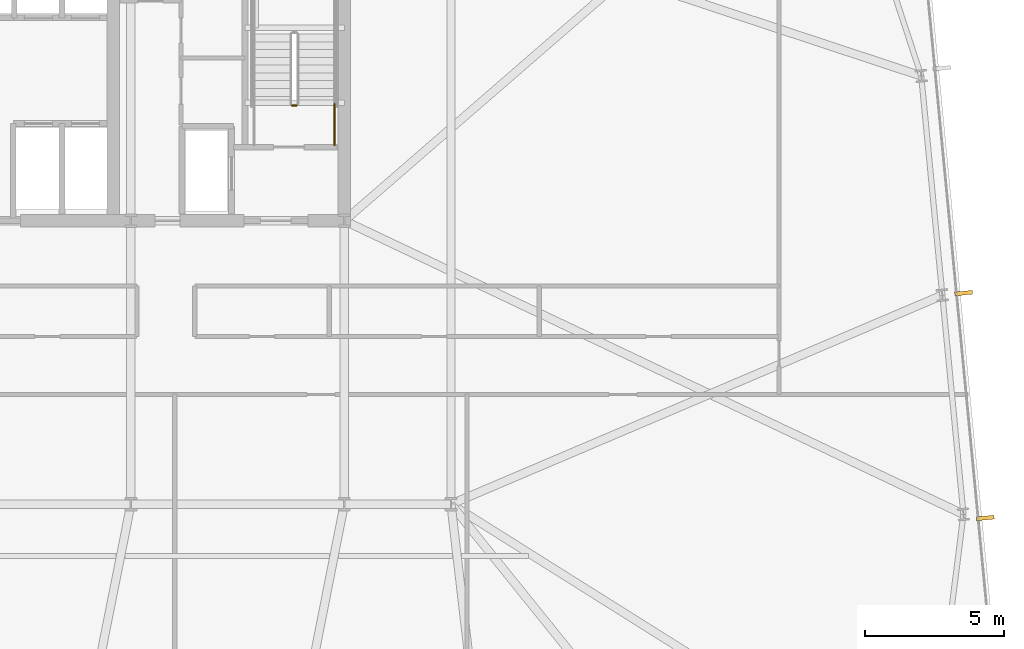
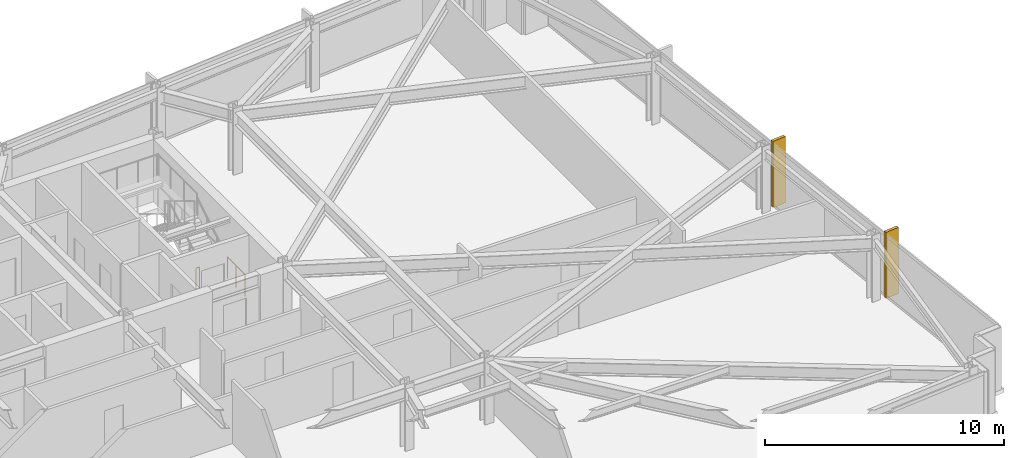
# One storey, part 30 of 32: 2 railings, 2 shading devices.
"""IFC4 building model written with IfcOpenShell, lengths in metres."""

from ifc_helpers import new_model, si_unit, direction, frame, origin, origin_2d, place, context, subcontext, project, spatial, rectangle, circle, extrude, material, layer, layer_set, type_object, element, save


model = new_model("IFC4")

# Units and contexts
model_context = context("Model", 3, precision=1e-05, world=origin(), true_north=direction((0.0, 1.0)))
body_context = subcontext(model_context, "Body", "Model", "MODEL_VIEW")
ifc_project = project(units=[si_unit("LENGTHUNIT", "METRE"), si_unit("AREAUNIT", "SQUARE_METRE"), si_unit("VOLUMEUNIT", "CUBIC_METRE"), si_unit("PLANEANGLEUNIT", "RADIAN"), si_unit("MASSUNIT", "GRAM", prefix="KILO")], contexts=[model_context])

# Site, building, storey
site_placement = place(None, origin())
site = spatial("IfcSite", under=ifc_project, at=site_placement, CompositionType="ELEMENT")
building_placement = place(site_placement, origin())
building = spatial("IfcBuilding", under=site, at=building_placement, Name="Yelkora Congress Tower", CompositionType="ELEMENT")
storey_placement = place(building_placement, frame((0.0, 0.0, 120.300048828125)))
storey = spatial("IfcBuildingStorey", under=building, at=storey_placement, Name="L32", CompositionType="ELEMENT", Elevation=120.300048828125)

# Railings
ifc_material_1 = material(Name="Painted galvanised steel stair well guard with vertical infill", Category="steel")
ifc_layer_1 = layer(ifc_material_1, 0.06005859375)
ifc_layer_set_1 = layer_set([ifc_layer_1], Name="Painted galvanised steel stair well guard with vertical infill")
railing_type = type_object("IfcRailingType", Name="RAIL-STAIR-GUARD-1120", PredefinedType="GUARDRAIL", material=ifc_layer_set_1)
railing_1_placement = place(storey_placement, frame((52.0400390625, 39.550048828125, 0.0)))
element("IfcRailing", 1, at=railing_1_placement, inside=storey, type_object=railing_type, Name="ST-02 L32 Stair Well Guardrail 7", PredefinedType="GUARDRAIL", context=body_context, shape_type="SweptSolid", body=[
    extrude(circle(Radius=0.02392578125, at=origin_2d()), frame((0.0, 0.0, 1.09619140625), z_axis=(-1.0, 0.0, 0.0), x_axis=(0.0, -1.0, 0.0)), (0.0, 0.0, 1.0), 0.16015625),
    extrude(circle(Radius=0.02099609375, at=origin_2d()), origin(), (0.0, 0.0, 1.0), 1.072021484375),
    extrude(circle(Radius=0.02099609375, at=origin_2d()), frame((-0.16015625, 0.0, 0.0)), (0.0, 0.0, 1.0), 1.072021484375),
])
railing_2_placement = place(storey_placement, frame((53.409912109375, 38.1201171875, 0.0)))
element("IfcRailing", 2, at=railing_2_placement, inside=storey, type_object=railing_type, Name="ST-02 L32 Stair Well Guardrail 8", PredefinedType="GUARDRAIL", context=body_context, shape_type="SweptSolid", body=[
    extrude(circle(Radius=0.02392578125, at=origin_2d()), frame((0.0, 0.0, 1.09619140625), z_axis=(0.0, 1.0, 0.0), x_axis=(-1.0, 0.0, 0.0)), (0.0, 0.0, 1.0), 1.47998046875),
    extrude(circle(Radius=0.02099609375, at=origin_2d()), origin(), (0.0, 0.0, 1.0), 1.072021484375),
    extrude(circle(Radius=0.02099609375, at=origin_2d()), frame((0.0, 0.739990234375, 0.0)), (0.0, 0.0, 1.0), 1.072021484375),
    extrude(circle(Radius=0.02099609375, at=origin_2d()), frame((0.0, 1.47998046875, 0.0)), (0.0, 0.0, 1.0), 1.072021484375),
])

# Shading devices
ifc_material_2 = material(Name="Champagne anodised aluminium", Category="aluminium")
ifc_layer_2 = layer(ifc_material_2, 3.39990234375)
ifc_layer_set_2 = layer_set([ifc_layer_2], Name="Champagne anodised aluminium")
shading_device_type = type_object("IfcShadingDeviceType", Name="SHD-FIN-ALU-640", PredefinedType="USERDEFINED", material=ifc_layer_set_2)
for number, where, z_axis, x_axis, name in (
    (3, (76.048095703125, 32.7958984375, -0.030029296875), (0.0, 0.0, 1.0), (0.09584575252, -0.995396198367, 0.0), "L32 Vertical Anodised Solar Fin 15-2"),
    (4, (76.827392578125, 24.703125, -0.030029296875), (0.0, 0.0, 1.0), (0.09584575252, -0.995396198367, 0.0), "L32 Vertical Anodised Solar Fin 15-3"),
):
    element("IfcShadingDevice", number, at=place(storey_placement, frame(where, z_axis=z_axis, x_axis=x_axis)), inside=storey, type_object=shading_device_type, Name=name, ObjectType="FIN", PredefinedType="USERDEFINED", context=body_context, shape_type="SweptSolid", body=[
        extrude(rectangle(XDim=0.139892578125, YDim=0.639892578125, at=origin_2d()), origin(), (0.0, 0.0, 1.0), 3.3798828125),
    ])

save(model, "model.ifc")
